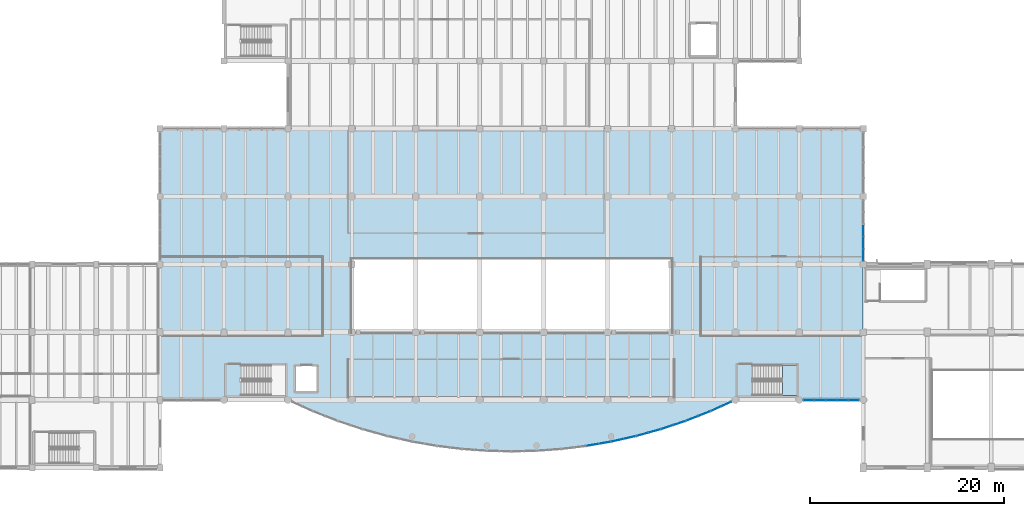
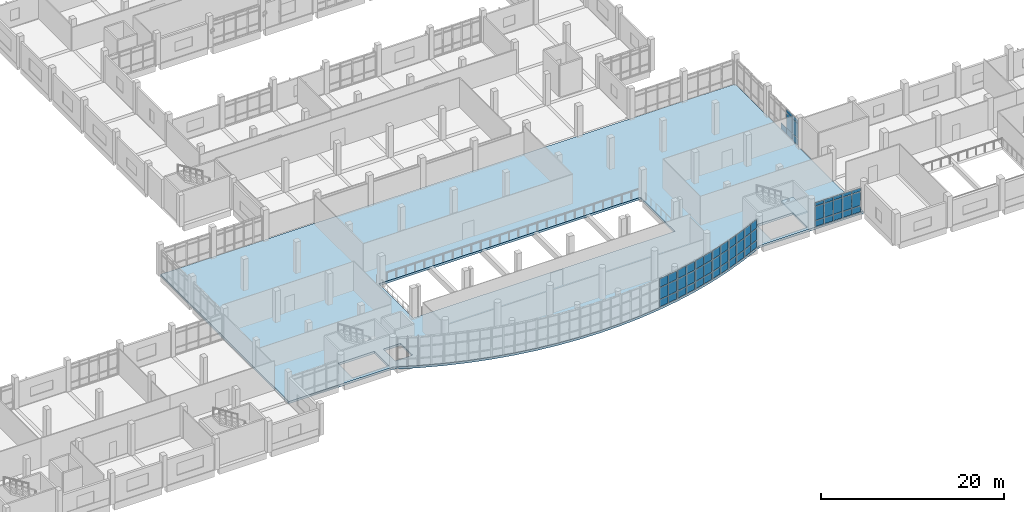
# One storey, part 36 of 68: 58 plates, 2 slabs, 9 elements without a shape of their own.
"""IFC4 building model written with IfcOpenShell, lengths in metres."""

from ifc_helpers import new_model, si_unit, direction, frame, origin, origin_2d, place, context, subcontext, project, spatial, polyline, rectangle, outline, extrude, material, layer, layer_set, type_object, element, aggregate, save


model = new_model("IFC4")

# Units and contexts
model_context = context("Model", 3, precision=1e-05, world=origin(), true_north=direction((0.0, 1.0)))
body_context = subcontext(model_context, "Body", "Model", "MODEL_VIEW")
ifc_project = project(units=[si_unit("LENGTHUNIT", "METRE"), si_unit("AREAUNIT", "SQUARE_METRE"), si_unit("VOLUMEUNIT", "CUBIC_METRE"), si_unit("PLANEANGLEUNIT", "RADIAN"), si_unit("MASSUNIT", "GRAM", prefix="KILO")], contexts=[model_context])

# Site, building, storey
site_placement = place(None, origin())
site = spatial("IfcSite", under=ifc_project, at=site_placement, CompositionType="ELEMENT")
building_placement = place(site_placement, origin())
building = spatial("IfcBuilding", under=site, at=building_placement, Name="Ciguamira Faculty of Natural Sciences", CompositionType="ELEMENT")
storey_placement = place(building_placement, frame((0.0, 0.0, 4.199951171875)))
storey = spatial("IfcBuildingStorey", under=building, at=storey_placement, Name="L01", CompositionType="ELEMENT", Elevation=4.199951171875)

# Curtain wall, plates
ifc_material_1 = material(Name="Anodized aluminium curtain wall", Category="aluminium")
curtain_wall_type_1 = type_object("IfcCurtainWallType", Name="CurtainWall_CW-03", PredefinedType="USERDEFINED", material=ifc_material_1)
curtain_wall_1_placement = place(storey_placement, origin())
curtain_wall_1 = element("IfcCurtainWall", 1, at=curtain_wall_1_placement, inside=storey, type_object=curtain_wall_type_1, Name="L01 unitised curtain wall 0027", ObjectType="UNITISED CURTAIN WALL", PredefinedType="USERDEFINED")
ifc_material_2 = material(Name="Low-E laminated solar glass", Category="glass")
ifc_layer_1 = layer(ifc_material_2, 0.028076171875, Name="Low-E laminated solar glass")
ifc_layer_set_1 = layer_set([ifc_layer_1], Name="Low-E laminated solar glass")
plate_type_1 = type_object("IfcPlateType", Name="CWPanel_CWP-01", PredefinedType="CURTAIN_PANEL", material=ifc_layer_set_1)
plate_1_placement = place(storey_placement, frame((117.679931640625, 10.0, 0.080078125), z_axis=(0.0, 0.0, 1.0), x_axis=(1.0, 0.0, 0.0)))
plate_1 = element("IfcPlate", 2, at=plate_1_placement, type_object=plate_type_1, Name="CW-03 panel 1.1", PredefinedType="CURTAIN_PANEL", context=body_context, shape_type="SweptSolid", body=[
    extrude(rectangle(XDim=1.050048828125, YDim=0.028076171875, at=origin_2d()), origin(), (0.0, 0.0, 1.0), 0.780029296875),
])
plate_2_placement = place(storey_placement, frame((117.679931640625, 10.0, 0.940185546875), z_axis=(0.0, 0.0, 1.0), x_axis=(1.0, 0.0, 0.0)))
plate_2 = element("IfcPlate", 3, at=plate_2_placement, type_object=plate_type_1, Name="CW-03 panel 1.2", PredefinedType="CURTAIN_PANEL", context=body_context, shape_type="SweptSolid", body=[
    extrude(rectangle(XDim=1.050048828125, YDim=0.028076171875, at=origin_2d()), origin(), (0.0, 0.0, 1.0), 1.81494140625),
])
plate_3_placement = place(storey_placement, frame((117.679931640625, 10.0, 2.8349609375), z_axis=(0.0, 0.0, 1.0), x_axis=(1.0, 0.0, 0.0)))
plate_3 = element("IfcPlate", 4, at=plate_3_placement, type_object=plate_type_1, Name="CW-03 panel 1.3", PredefinedType="CURTAIN_PANEL", context=body_context, shape_type="SweptSolid", body=[
    extrude(rectangle(XDim=1.050048828125, YDim=0.028076171875, at=origin_2d()), origin(), (0.0, 0.0, 1.0), 0.429931640625),
])
plate_4_placement = place(storey_placement, frame((118.830078125, 10.0, 0.080078125), z_axis=(0.0, 0.0, 1.0), x_axis=(1.0, 0.0, 0.0)))
plate_4 = element("IfcPlate", 5, at=plate_4_placement, type_object=plate_type_1, Name="CW-03 panel 2.1", PredefinedType="CURTAIN_PANEL", context=body_context, shape_type="SweptSolid", body=[
    extrude(rectangle(XDim=1.090087890625, YDim=0.028076171875, at=origin_2d()), origin(), (0.0, 0.0, 1.0), 0.780029296875),
])
plate_5_placement = place(storey_placement, frame((118.830078125, 10.0, 0.940185546875), z_axis=(0.0, 0.0, 1.0), x_axis=(1.0, 0.0, 0.0)))
plate_5 = element("IfcPlate", 6, at=plate_5_placement, type_object=plate_type_1, Name="CW-03 panel 2.2", PredefinedType="CURTAIN_PANEL", context=body_context, shape_type="SweptSolid", body=[
    extrude(rectangle(XDim=1.090087890625, YDim=0.028076171875, at=origin_2d()), origin(), (0.0, 0.0, 1.0), 1.81494140625),
])
plate_6_placement = place(storey_placement, frame((118.830078125, 10.0, 2.8349609375), z_axis=(0.0, 0.0, 1.0), x_axis=(1.0, 0.0, 0.0)))
plate_6 = element("IfcPlate", 7, at=plate_6_placement, type_object=plate_type_1, Name="CW-03 panel 2.3", PredefinedType="CURTAIN_PANEL", context=body_context, shape_type="SweptSolid", body=[
    extrude(rectangle(XDim=1.090087890625, YDim=0.028076171875, at=origin_2d()), origin(), (0.0, 0.0, 1.0), 0.429931640625),
])
plate_7_placement = place(storey_placement, frame((120.0, 10.0, 0.080078125), z_axis=(0.0, 0.0, 1.0), x_axis=(1.0, 0.0, 0.0)))
plate_7 = element("IfcPlate", 8, at=plate_7_placement, type_object=plate_type_1, Name="CW-03 panel 3.1", PredefinedType="CURTAIN_PANEL", context=body_context, shape_type="SweptSolid", body=[
    extrude(rectangle(XDim=1.090087890625, YDim=0.028076171875, at=origin_2d()), origin(), (0.0, 0.0, 1.0), 0.780029296875),
])
plate_8_placement = place(storey_placement, frame((120.0, 10.0, 0.940185546875), z_axis=(0.0, 0.0, 1.0), x_axis=(1.0, 0.0, 0.0)))
plate_8 = element("IfcPlate", 9, at=plate_8_placement, type_object=plate_type_1, Name="CW-03 panel 3.2", PredefinedType="CURTAIN_PANEL", context=body_context, shape_type="SweptSolid", body=[
    extrude(rectangle(XDim=1.090087890625, YDim=0.028076171875, at=origin_2d()), origin(), (0.0, 0.0, 1.0), 1.81494140625),
])
plate_9_placement = place(storey_placement, frame((120.0, 10.0, 2.8349609375), z_axis=(0.0, 0.0, 1.0), x_axis=(1.0, 0.0, 0.0)))
plate_9 = element("IfcPlate", 10, at=plate_9_placement, type_object=plate_type_1, Name="CW-03 panel 3.3", PredefinedType="CURTAIN_PANEL", context=body_context, shape_type="SweptSolid", body=[
    extrude(rectangle(XDim=1.090087890625, YDim=0.028076171875, at=origin_2d()), origin(), (0.0, 0.0, 1.0), 0.429931640625),
])
plate_10_placement = place(storey_placement, frame((121.169921875, 10.0, 0.080078125), z_axis=(0.0, 0.0, 1.0), x_axis=(1.0, 0.0, 0.0)))
plate_10 = element("IfcPlate", 11, at=plate_10_placement, type_object=plate_type_1, Name="CW-03 panel 4.1", PredefinedType="CURTAIN_PANEL", context=body_context, shape_type="SweptSolid", body=[
    extrude(rectangle(XDim=1.090087890625, YDim=0.028076171875, at=origin_2d()), origin(), (0.0, 0.0, 1.0), 0.780029296875),
])
plate_11_placement = place(storey_placement, frame((121.169921875, 10.0, 0.940185546875), z_axis=(0.0, 0.0, 1.0), x_axis=(1.0, 0.0, 0.0)))
plate_11 = element("IfcPlate", 12, at=plate_11_placement, type_object=plate_type_1, Name="CW-03 panel 4.2", PredefinedType="CURTAIN_PANEL", context=body_context, shape_type="SweptSolid", body=[
    extrude(rectangle(XDim=1.090087890625, YDim=0.028076171875, at=origin_2d()), origin(), (0.0, 0.0, 1.0), 1.81494140625),
])
plate_12_placement = place(storey_placement, frame((121.169921875, 10.0, 2.8349609375), z_axis=(0.0, 0.0, 1.0), x_axis=(1.0, 0.0, 0.0)))
plate_12 = element("IfcPlate", 13, at=plate_12_placement, type_object=plate_type_1, Name="CW-03 panel 4.3", PredefinedType="CURTAIN_PANEL", context=body_context, shape_type="SweptSolid", body=[
    extrude(rectangle(XDim=1.090087890625, YDim=0.028076171875, at=origin_2d()), origin(), (0.0, 0.0, 1.0), 0.429931640625),
])
plate_13_placement = place(storey_placement, frame((122.320068359375, 10.0, 0.080078125), z_axis=(0.0, 0.0, 1.0), x_axis=(1.0, 0.0, 0.0)))
plate_13 = element("IfcPlate", 14, at=plate_13_placement, type_object=plate_type_1, Name="CW-03 panel 5.1", PredefinedType="CURTAIN_PANEL", context=body_context, shape_type="SweptSolid", body=[
    extrude(rectangle(XDim=1.050048828125, YDim=0.028076171875, at=origin_2d()), origin(), (0.0, 0.0, 1.0), 0.780029296875),
])
plate_14_placement = place(storey_placement, frame((122.320068359375, 10.0, 0.940185546875), z_axis=(0.0, 0.0, 1.0), x_axis=(1.0, 0.0, 0.0)))
plate_14 = element("IfcPlate", 15, at=plate_14_placement, type_object=plate_type_1, Name="CW-03 panel 5.2", PredefinedType="CURTAIN_PANEL", context=body_context, shape_type="SweptSolid", body=[
    extrude(rectangle(XDim=1.050048828125, YDim=0.028076171875, at=origin_2d()), origin(), (0.0, 0.0, 1.0), 1.81494140625),
])
plate_15_placement = place(storey_placement, frame((122.320068359375, 10.0, 2.8349609375), z_axis=(0.0, 0.0, 1.0), x_axis=(1.0, 0.0, 0.0)))
plate_15 = element("IfcPlate", 16, at=plate_15_placement, type_object=plate_type_1, Name="CW-03 panel 5.3", PredefinedType="CURTAIN_PANEL", context=body_context, shape_type="SweptSolid", body=[
    extrude(rectangle(XDim=1.050048828125, YDim=0.028076171875, at=origin_2d()), origin(), (0.0, 0.0, 1.0), 0.429931640625),
])
aggregate(curtain_wall_1, [plate_1, plate_2, plate_3, plate_4, plate_5, plate_6, plate_7, plate_8, plate_9, plate_10, plate_11, plate_12, plate_13, plate_14, plate_15])

curtain_wall_type_2 = type_object("IfcCurtainWallType", Name="CurtainWall_CW-12", PredefinedType="USERDEFINED", material=ifc_material_1)
curtain_wall_2_placement = place(storey_placement, origin())
curtain_wall_2 = element("IfcCurtainWall", 17, at=curtain_wall_2_placement, inside=storey, type_object=curtain_wall_type_2, Name="L01 south gallery curved curtain wall 13", ObjectType="UNITISED CURTAIN WALL", PredefinedType="USERDEFINED")
plate_16_placement = place(storey_placement, frame((95.361328125, 5.357421875, 0.080078125), z_axis=(0.0, 0.0, 1.0), x_axis=(0.985410865099, 0.170192323402, 0.0)))
plate_16 = element("IfcPlate", 18, at=plate_16_placement, type_object=plate_type_1, Name="CW-12 panel 1.1", PredefinedType="CURTAIN_PANEL", context=body_context, shape_type="SweptSolid", body=[
    extrude(rectangle(XDim=1.182373046875, YDim=0.028076171875, at=origin_2d()), origin(), (0.0, 0.0, 1.0), 0.929931640625),
])
plate_17_placement = place(storey_placement, frame((95.361328125, 5.357421875, 1.090087890625), z_axis=(0.0, 0.0, 1.0), x_axis=(0.985410865099, 0.170192323402, 0.0)))
plate_17 = element("IfcPlate", 19, at=plate_17_placement, type_object=plate_type_1, Name="CW-12 panel 1.2", PredefinedType="CURTAIN_PANEL", context=body_context, shape_type="SweptSolid", body=[
    extrude(rectangle(XDim=1.182373046875, YDim=0.028076171875, at=origin_2d()), origin(), (0.0, 0.0, 1.0), 1.52001953125),
])
plate_18_placement = place(storey_placement, frame((95.361328125, 5.357421875, 2.690185546875), z_axis=(0.0, 0.0, 1.0), x_axis=(0.985410865099, 0.170192323402, 0.0)))
plate_18 = element("IfcPlate", 20, at=plate_18_placement, type_object=plate_type_1, Name="CW-12 panel 1.3", PredefinedType="CURTAIN_PANEL", context=body_context, shape_type="SweptSolid", body=[
    extrude(rectangle(XDim=1.182373046875, YDim=0.028076171875, at=origin_2d()), origin(), (0.0, 0.0, 1.0), 1.1298828125),
])
plate_19_placement = place(storey_placement, frame((96.605224609375, 5.572265625, 0.080078125), z_axis=(0.0, 0.0, 1.0), x_axis=(0.985410865099, 0.170192323402, 0.0)))
plate_19 = element("IfcPlate", 21, at=plate_19_placement, type_object=plate_type_1, Name="CW-12 panel 2.1", PredefinedType="CURTAIN_PANEL", context=body_context, shape_type="SweptSolid", body=[
    extrude(rectangle(XDim=1.182373046875, YDim=0.028076171875, at=origin_2d()), origin(), (0.0, 0.0, 1.0), 0.929931640625),
])
plate_20_placement = place(storey_placement, frame((96.605224609375, 5.572265625, 1.090087890625), z_axis=(0.0, 0.0, 1.0), x_axis=(0.985410865099, 0.170192323402, 0.0)))
plate_20 = element("IfcPlate", 22, at=plate_20_placement, type_object=plate_type_1, Name="CW-12 panel 2.2", PredefinedType="CURTAIN_PANEL", context=body_context, shape_type="SweptSolid", body=[
    extrude(rectangle(XDim=1.182373046875, YDim=0.028076171875, at=origin_2d()), origin(), (0.0, 0.0, 1.0), 1.52001953125),
])
plate_21_placement = place(storey_placement, frame((96.605224609375, 5.572265625, 2.690185546875), z_axis=(0.0, 0.0, 1.0), x_axis=(0.985410865099, 0.170192323402, 0.0)))
plate_21 = element("IfcPlate", 23, at=plate_21_placement, type_object=plate_type_1, Name="CW-12 panel 2.3", PredefinedType="CURTAIN_PANEL", context=body_context, shape_type="SweptSolid", body=[
    extrude(rectangle(XDim=1.182373046875, YDim=0.028076171875, at=origin_2d()), origin(), (0.0, 0.0, 1.0), 1.1298828125),
])
aggregate(curtain_wall_2, [plate_16, plate_17, plate_18, plate_19, plate_20, plate_21])

curtain_wall_type_3 = type_object("IfcCurtainWallType", Name="CurtainWall_CW-01", PredefinedType="USERDEFINED", material=ifc_material_1)
curtain_wall_3_placement = place(storey_placement, origin())
curtain_wall_3 = element("IfcCurtainWall", 24, at=curtain_wall_3_placement, inside=storey, type_object=curtain_wall_type_3, Name="L01 south gallery curved curtain wall 14", ObjectType="UNITISED CURTAIN WALL", PredefinedType="USERDEFINED")
plate_22_placement = place(storey_placement, frame((97.927978515625, 5.834716796875, 0.080078125), z_axis=(0.0, 0.0, 1.0), x_axis=(0.975762990759, 0.218830038763, 0.0)))
plate_22 = element("IfcPlate", 25, at=plate_22_placement, type_object=plate_type_1, Name="CW-01 panel 1.1", PredefinedType="CURTAIN_PANEL", context=body_context, shape_type="SweptSolid", body=[
    extrude(rectangle(XDim=1.195068359375, YDim=0.028076171875, at=origin_2d()), origin(), (0.0, 0.0, 1.0), 0.929931640625),
])
plate_23_placement = place(storey_placement, frame((97.927978515625, 5.834716796875, 1.090087890625), z_axis=(0.0, 0.0, 1.0), x_axis=(0.975762990759, 0.218830038763, 0.0)))
plate_23 = element("IfcPlate", 26, at=plate_23_placement, type_object=plate_type_1, Name="CW-01 panel 1.2", PredefinedType="CURTAIN_PANEL", context=body_context, shape_type="SweptSolid", body=[
    extrude(rectangle(XDim=1.195068359375, YDim=0.028076171875, at=origin_2d()), origin(), (0.0, 0.0, 1.0), 1.52001953125),
])
plate_24_placement = place(storey_placement, frame((97.927978515625, 5.834716796875, 2.690185546875), z_axis=(0.0, 0.0, 1.0), x_axis=(0.975762990759, 0.218830038763, 0.0)))
plate_24 = element("IfcPlate", 27, at=plate_24_placement, type_object=plate_type_1, Name="CW-01 panel 1.3", PredefinedType="CURTAIN_PANEL", context=body_context, shape_type="SweptSolid", body=[
    extrude(rectangle(XDim=1.195068359375, YDim=0.028076171875, at=origin_2d()), origin(), (0.0, 0.0, 1.0), 1.1298828125),
])
plate_25_placement = place(storey_placement, frame((99.172119140625, 6.11376953125, 0.080078125), z_axis=(0.0, 0.0, 1.0), x_axis=(0.975762990759, 0.218830038763, 0.0)))
plate_25 = element("IfcPlate", 28, at=plate_25_placement, type_object=plate_type_1, Name="CW-01 panel 2.1", PredefinedType="CURTAIN_PANEL", context=body_context, shape_type="SweptSolid", body=[
    extrude(rectangle(XDim=1.195068359375, YDim=0.028076171875, at=origin_2d()), origin(), (0.0, 0.0, 1.0), 0.929931640625),
])
plate_26_placement = place(storey_placement, frame((99.172119140625, 6.11376953125, 1.090087890625), z_axis=(0.0, 0.0, 1.0), x_axis=(0.975762990759, 0.218830038763, 0.0)))
plate_26 = element("IfcPlate", 29, at=plate_26_placement, type_object=plate_type_1, Name="CW-01 panel 2.2", PredefinedType="CURTAIN_PANEL", context=body_context, shape_type="SweptSolid", body=[
    extrude(rectangle(XDim=1.195068359375, YDim=0.028076171875, at=origin_2d()), origin(), (0.0, 0.0, 1.0), 1.52001953125),
])
plate_27_placement = place(storey_placement, frame((99.172119140625, 6.11376953125, 2.690185546875), z_axis=(0.0, 0.0, 1.0), x_axis=(0.975762990759, 0.218830038763, 0.0)))
plate_27 = element("IfcPlate", 30, at=plate_27_placement, type_object=plate_type_1, Name="CW-01 panel 2.3", PredefinedType="CURTAIN_PANEL", context=body_context, shape_type="SweptSolid", body=[
    extrude(rectangle(XDim=1.195068359375, YDim=0.028076171875, at=origin_2d()), origin(), (0.0, 0.0, 1.0), 1.1298828125),
])
aggregate(curtain_wall_3, [plate_22, plate_23, plate_24, plate_25, plate_26, plate_27])

curtain_wall_type_4 = type_object("IfcCurtainWallType", Name="CurtainWall_CW-02", PredefinedType="USERDEFINED", material=ifc_material_1)
curtain_wall_4_placement = place(storey_placement, origin())
curtain_wall_4 = element("IfcCurtainWall", 31, at=curtain_wall_4_placement, inside=storey, type_object=curtain_wall_type_4, Name="L01 south gallery curved curtain wall 15", ObjectType="UNITISED CURTAIN WALL", PredefinedType="USERDEFINED")
plate_28_placement = place(storey_placement, frame((100.494140625, 6.445556640625, 0.080078125), z_axis=(0.0, 0.0, 1.0), x_axis=(0.963573286652, 0.267444426472, 0.0)))
plate_28 = element("IfcPlate", 32, at=plate_28_placement, type_object=plate_type_1, Name="CW-02 panel 1.1", PredefinedType="CURTAIN_PANEL", context=body_context, shape_type="SweptSolid", body=[
    extrude(rectangle(XDim=1.2119140625, YDim=0.028076171875, at=origin_2d()), origin(), (0.0, 0.0, 1.0), 0.929931640625),
])
plate_29_placement = place(storey_placement, frame((100.494140625, 6.445556640625, 1.090087890625), z_axis=(0.0, 0.0, 1.0), x_axis=(0.963573286652, 0.267444426472, 0.0)))
plate_29 = element("IfcPlate", 33, at=plate_29_placement, type_object=plate_type_1, Name="CW-02 panel 1.2", PredefinedType="CURTAIN_PANEL", context=body_context, shape_type="SweptSolid", body=[
    extrude(rectangle(XDim=1.2119140625, YDim=0.028076171875, at=origin_2d()), origin(), (0.0, 0.0, 1.0), 1.52001953125),
])
plate_30_placement = place(storey_placement, frame((100.494140625, 6.445556640625, 2.690185546875), z_axis=(0.0, 0.0, 1.0), x_axis=(0.963573286652, 0.267444426472, 0.0)))
plate_30 = element("IfcPlate", 34, at=plate_30_placement, type_object=plate_type_1, Name="CW-02 panel 1.3", PredefinedType="CURTAIN_PANEL", context=body_context, shape_type="SweptSolid", body=[
    extrude(rectangle(XDim=1.2119140625, YDim=0.028076171875, at=origin_2d()), origin(), (0.0, 0.0, 1.0), 1.1298828125),
])
plate_31_placement = place(storey_placement, frame((101.739013671875, 6.791015625, 0.080078125), z_axis=(0.0, 0.0, 1.0), x_axis=(0.963573286652, 0.267444426472, 0.0)))
plate_31 = element("IfcPlate", 35, at=plate_31_placement, type_object=plate_type_1, Name="CW-02 panel 2.1", PredefinedType="CURTAIN_PANEL", context=body_context, shape_type="SweptSolid", body=[
    extrude(rectangle(XDim=1.2119140625, YDim=0.028076171875, at=origin_2d()), origin(), (0.0, 0.0, 1.0), 0.929931640625),
])
plate_32_placement = place(storey_placement, frame((101.739013671875, 6.791015625, 1.090087890625), z_axis=(0.0, 0.0, 1.0), x_axis=(0.963573286652, 0.267444426472, 0.0)))
plate_32 = element("IfcPlate", 36, at=plate_32_placement, type_object=plate_type_1, Name="CW-02 panel 2.2", PredefinedType="CURTAIN_PANEL", context=body_context, shape_type="SweptSolid", body=[
    extrude(rectangle(XDim=1.2119140625, YDim=0.028076171875, at=origin_2d()), origin(), (0.0, 0.0, 1.0), 1.52001953125),
])
plate_33_placement = place(storey_placement, frame((101.739013671875, 6.791015625, 2.690185546875), z_axis=(0.0, 0.0, 1.0), x_axis=(0.963573286652, 0.267444426472, 0.0)))
plate_33 = element("IfcPlate", 37, at=plate_33_placement, type_object=plate_type_1, Name="CW-02 panel 2.3", PredefinedType="CURTAIN_PANEL", context=body_context, shape_type="SweptSolid", body=[
    extrude(rectangle(XDim=1.2119140625, YDim=0.028076171875, at=origin_2d()), origin(), (0.0, 0.0, 1.0), 1.1298828125),
])
aggregate(curtain_wall_4, [plate_28, plate_29, plate_30, plate_31, plate_32, plate_33])

curtain_wall_5_placement = place(storey_placement, origin())
curtain_wall_5 = element("IfcCurtainWall", 38, at=curtain_wall_5_placement, inside=storey, type_object=curtain_wall_type_1, Name="L01 south gallery curved curtain wall 16", ObjectType="UNITISED CURTAIN WALL", PredefinedType="USERDEFINED")
plate_34_placement = place(storey_placement, frame((103.060546875, 7.194580078125, 0.080078125), z_axis=(0.0, 0.0, 1.0), x_axis=(0.948735033862, 0.316072516242, 0.0)))
plate_34 = element("IfcPlate", 39, at=plate_34_placement, type_object=plate_type_1, Name="CW-03 panel 1.1", PredefinedType="CURTAIN_PANEL", context=body_context, shape_type="SweptSolid", body=[
    extrude(rectangle(XDim=1.232666015625, YDim=0.028076171875, at=origin_2d()), origin(), (0.0, 0.0, 1.0), 0.929931640625),
])
plate_35_placement = place(storey_placement, frame((103.060546875, 7.194580078125, 1.090087890625), z_axis=(0.0, 0.0, 1.0), x_axis=(0.948735033862, 0.316072516242, 0.0)))
plate_35 = element("IfcPlate", 40, at=plate_35_placement, type_object=plate_type_1, Name="CW-03 panel 1.2", PredefinedType="CURTAIN_PANEL", context=body_context, shape_type="SweptSolid", body=[
    extrude(rectangle(XDim=1.232666015625, YDim=0.028076171875, at=origin_2d()), origin(), (0.0, 0.0, 1.0), 1.52001953125),
])
plate_36_placement = place(storey_placement, frame((103.060546875, 7.194580078125, 2.690185546875), z_axis=(0.0, 0.0, 1.0), x_axis=(0.948735033862, 0.316072516242, 0.0)))
plate_36 = element("IfcPlate", 41, at=plate_36_placement, type_object=plate_type_1, Name="CW-03 panel 1.3", PredefinedType="CURTAIN_PANEL", context=body_context, shape_type="SweptSolid", body=[
    extrude(rectangle(XDim=1.232666015625, YDim=0.028076171875, at=origin_2d()), origin(), (0.0, 0.0, 1.0), 1.1298828125),
])
plate_37_placement = place(storey_placement, frame((104.30615234375, 7.609619140625, 0.080078125), z_axis=(0.0, 0.0, 1.0), x_axis=(0.948735033862, 0.316072516242, 0.0)))
plate_37 = element("IfcPlate", 42, at=plate_37_placement, type_object=plate_type_1, Name="CW-03 panel 2.1", PredefinedType="CURTAIN_PANEL", context=body_context, shape_type="SweptSolid", body=[
    extrude(rectangle(XDim=1.232666015625, YDim=0.028076171875, at=origin_2d()), origin(), (0.0, 0.0, 1.0), 0.929931640625),
])
plate_38_placement = place(storey_placement, frame((104.30615234375, 7.609619140625, 1.090087890625), z_axis=(0.0, 0.0, 1.0), x_axis=(0.948735033862, 0.316072516242, 0.0)))
plate_38 = element("IfcPlate", 43, at=plate_38_placement, type_object=plate_type_1, Name="CW-03 panel 2.2", PredefinedType="CURTAIN_PANEL", context=body_context, shape_type="SweptSolid", body=[
    extrude(rectangle(XDim=1.232666015625, YDim=0.028076171875, at=origin_2d()), origin(), (0.0, 0.0, 1.0), 1.52001953125),
])
plate_39_placement = place(storey_placement, frame((104.30615234375, 7.609619140625, 2.690185546875), z_axis=(0.0, 0.0, 1.0), x_axis=(0.948735033862, 0.316072516242, 0.0)))
plate_39 = element("IfcPlate", 44, at=plate_39_placement, type_object=plate_type_1, Name="CW-03 panel 2.3", PredefinedType="CURTAIN_PANEL", context=body_context, shape_type="SweptSolid", body=[
    extrude(rectangle(XDim=1.232666015625, YDim=0.028076171875, at=origin_2d()), origin(), (0.0, 0.0, 1.0), 1.1298828125),
])
aggregate(curtain_wall_5, [plate_34, plate_35, plate_36, plate_37, plate_38, plate_39])

curtain_wall_type_5 = type_object("IfcCurtainWallType", Name="CurtainWall_CW-04", PredefinedType="USERDEFINED", material=ifc_material_1)
curtain_wall_6_placement = place(storey_placement, origin())
curtain_wall_6 = element("IfcCurtainWall", 45, at=curtain_wall_6_placement, inside=storey, type_object=curtain_wall_type_5, Name="L01 south gallery curved curtain wall 17", ObjectType="UNITISED CURTAIN WALL", PredefinedType="USERDEFINED")
plate_40_placement = place(storey_placement, frame((105.626953125, 8.088134765625, 0.080078125), z_axis=(0.0, 0.0, 1.0), x_axis=(0.931122296337, 0.36470710065, 0.0)))
plate_40 = element("IfcPlate", 46, at=plate_40_placement, type_object=plate_type_1, Name="CW-04 panel 1.1", PredefinedType="CURTAIN_PANEL", context=body_context, shape_type="SweptSolid", body=[
    extrude(rectangle(XDim=1.25830078125, YDim=0.028076171875, at=origin_2d()), origin(), (0.0, 0.0, 1.0), 0.929931640625),
])
plate_41_placement = place(storey_placement, frame((105.626953125, 8.088134765625, 1.090087890625), z_axis=(0.0, 0.0, 1.0), x_axis=(0.931122296337, 0.36470710065, 0.0)))
plate_41 = element("IfcPlate", 47, at=plate_41_placement, type_object=plate_type_1, Name="CW-04 panel 1.2", PredefinedType="CURTAIN_PANEL", context=body_context, shape_type="SweptSolid", body=[
    extrude(rectangle(XDim=1.25830078125, YDim=0.028076171875, at=origin_2d()), origin(), (0.0, 0.0, 1.0), 1.52001953125),
])
plate_42_placement = place(storey_placement, frame((105.626953125, 8.088134765625, 2.690185546875), z_axis=(0.0, 0.0, 1.0), x_axis=(0.931122296337, 0.36470710065, 0.0)))
plate_42 = element("IfcPlate", 48, at=plate_42_placement, type_object=plate_type_1, Name="CW-04 panel 1.3", PredefinedType="CURTAIN_PANEL", context=body_context, shape_type="SweptSolid", body=[
    extrude(rectangle(XDim=1.25830078125, YDim=0.028076171875, at=origin_2d()), origin(), (0.0, 0.0, 1.0), 1.1298828125),
])
plate_43_placement = place(storey_placement, frame((106.873046875, 8.576171875, 0.080078125), z_axis=(0.0, 0.0, 1.0), x_axis=(0.931122296337, 0.36470710065, 0.0)))
plate_43 = element("IfcPlate", 49, at=plate_43_placement, type_object=plate_type_1, Name="CW-04 panel 2.1", PredefinedType="CURTAIN_PANEL", context=body_context, shape_type="SweptSolid", body=[
    extrude(rectangle(XDim=1.25830078125, YDim=0.028076171875, at=origin_2d()), origin(), (0.0, 0.0, 1.0), 0.929931640625),
])
plate_44_placement = place(storey_placement, frame((106.873046875, 8.576171875, 1.090087890625), z_axis=(0.0, 0.0, 1.0), x_axis=(0.931122296337, 0.36470710065, 0.0)))
plate_44 = element("IfcPlate", 50, at=plate_44_placement, type_object=plate_type_1, Name="CW-04 panel 2.2", PredefinedType="CURTAIN_PANEL", context=body_context, shape_type="SweptSolid", body=[
    extrude(rectangle(XDim=1.25830078125, YDim=0.028076171875, at=origin_2d()), origin(), (0.0, 0.0, 1.0), 1.52001953125),
])
plate_45_placement = place(storey_placement, frame((106.873046875, 8.576171875, 2.690185546875), z_axis=(0.0, 0.0, 1.0), x_axis=(0.931122296337, 0.36470710065, 0.0)))
plate_45 = element("IfcPlate", 51, at=plate_45_placement, type_object=plate_type_1, Name="CW-04 panel 2.3", PredefinedType="CURTAIN_PANEL", context=body_context, shape_type="SweptSolid", body=[
    extrude(rectangle(XDim=1.25830078125, YDim=0.028076171875, at=origin_2d()), origin(), (0.0, 0.0, 1.0), 1.1298828125),
])
aggregate(curtain_wall_6, [plate_40, plate_41, plate_42, plate_43, plate_44, plate_45])

curtain_wall_type_6 = type_object("IfcCurtainWallType", Name="CurtainWall_CW-05", PredefinedType="USERDEFINED", material=ifc_material_1)
curtain_wall_7_placement = place(storey_placement, origin())
curtain_wall_7 = element("IfcCurtainWall", 52, at=curtain_wall_7_placement, inside=storey, type_object=curtain_wall_type_6, Name="L01 south gallery curved curtain wall 18", ObjectType="UNITISED CURTAIN WALL", PredefinedType="USERDEFINED")
plate_46_placement = place(storey_placement, frame((108.09765625, 9.091064453125, 0.080078125), z_axis=(0.0, 0.0, 1.0), x_axis=(0.910580503774, 0.41333176281, 0.0)))
plate_46 = element("IfcPlate", 53, at=plate_46_placement, type_object=plate_type_1, Name="CW-05 panel 1.1", PredefinedType="CURTAIN_PANEL", context=body_context, shape_type="SweptSolid", body=[
    extrude(rectangle(XDim=1.079345703125, YDim=0.028076171875, at=origin_2d()), origin(), (0.0, 0.0, 1.0), 0.929931640625),
])
plate_47_placement = place(storey_placement, frame((108.09765625, 9.091064453125, 1.090087890625), z_axis=(0.0, 0.0, 1.0), x_axis=(0.910580503774, 0.41333176281, 0.0)))
plate_47 = element("IfcPlate", 54, at=plate_47_placement, type_object=plate_type_1, Name="CW-05 panel 1.2", PredefinedType="CURTAIN_PANEL", context=body_context, shape_type="SweptSolid", body=[
    extrude(rectangle(XDim=1.079345703125, YDim=0.028076171875, at=origin_2d()), origin(), (0.0, 0.0, 1.0), 1.52001953125),
])
plate_48_placement = place(storey_placement, frame((108.09765625, 9.091064453125, 2.690185546875), z_axis=(0.0, 0.0, 1.0), x_axis=(0.910580503774, 0.41333176281, 0.0)))
plate_48 = element("IfcPlate", 55, at=plate_48_placement, type_object=plate_type_1, Name="CW-05 panel 1.3", PredefinedType="CURTAIN_PANEL", context=body_context, shape_type="SweptSolid", body=[
    extrude(rectangle(XDim=1.079345703125, YDim=0.028076171875, at=origin_2d()), origin(), (0.0, 0.0, 1.0), 1.1298828125),
])
plate_49_placement = place(storey_placement, frame((109.1533203125, 9.5703125, 0.080078125), z_axis=(0.0, 0.0, 1.0), x_axis=(0.910580503774, 0.41333176281, 0.0)))
plate_49 = element("IfcPlate", 56, at=plate_49_placement, type_object=plate_type_1, Name="CW-05 panel 2.1", PredefinedType="CURTAIN_PANEL", context=body_context, shape_type="SweptSolid", body=[
    extrude(rectangle(XDim=1.079345703125, YDim=0.028076171875, at=origin_2d()), origin(), (0.0, 0.0, 1.0), 0.929931640625),
])
plate_50_placement = place(storey_placement, frame((109.1533203125, 9.5703125, 1.090087890625), z_axis=(0.0, 0.0, 1.0), x_axis=(0.910580503774, 0.41333176281, 0.0)))
plate_50 = element("IfcPlate", 57, at=plate_50_placement, type_object=plate_type_1, Name="CW-05 panel 2.2", PredefinedType="CURTAIN_PANEL", context=body_context, shape_type="SweptSolid", body=[
    extrude(rectangle(XDim=1.079345703125, YDim=0.028076171875, at=origin_2d()), origin(), (0.0, 0.0, 1.0), 1.52001953125),
])
plate_51_placement = place(storey_placement, frame((109.1533203125, 9.5703125, 2.690185546875), z_axis=(0.0, 0.0, 1.0), x_axis=(0.910580503774, 0.41333176281, 0.0)))
plate_51 = element("IfcPlate", 58, at=plate_51_placement, type_object=plate_type_1, Name="CW-05 panel 2.3", PredefinedType="CURTAIN_PANEL", context=body_context, shape_type="SweptSolid", body=[
    extrude(rectangle(XDim=1.079345703125, YDim=0.028076171875, at=origin_2d()), origin(), (0.0, 0.0, 1.0), 1.1298828125),
])
aggregate(curtain_wall_7, [plate_46, plate_47, plate_48, plate_49, plate_50, plate_51])

curtain_wall_8_placement = place(storey_placement, origin())
curtain_wall_8 = element("IfcCurtainWall", 59, at=curtain_wall_8_placement, inside=storey, type_object=curtain_wall_type_5, Name="L01 unitised curtain wall 0052", ObjectType="UNITISED CURTAIN WALL", PredefinedType="USERDEFINED")
ifc_layer_2 = layer(ifc_material_2, 0.035888671875, Name="Low-E laminated solar glass")
ifc_layer_set_2 = layer_set([ifc_layer_2], Name="Low-E laminated solar glass")
plate_type_2 = type_object("IfcPlateType", Name="CWPanel_CWP-02", PredefinedType="CURTAIN_PANEL", material=ifc_layer_set_2)
plate_52_placement = place(storey_placement, frame((123.300048828125, 24.97509765625, 0.06005859375), z_axis=(0.0, 0.0, 1.0), x_axis=(0.0, 1.0, 0.0)))
plate_52 = element("IfcPlate", 60, at=plate_52_placement, type_object=plate_type_2, Name="CW-04 panel 1.1", PredefinedType="CURTAIN_PANEL", context=body_context, shape_type="SweptSolid", body=[
    extrude(rectangle(XDim=1.179931640625, YDim=0.035888671875, at=origin_2d()), origin(), (0.0, 0.0, 1.0), 0.81005859375),
])
plate_53_placement = place(storey_placement, frame((123.300048828125, 24.97509765625, 0.929931640625), z_axis=(0.0, 0.0, 1.0), x_axis=(0.0, 1.0, 0.0)))
plate_53 = element("IfcPlate", 61, at=plate_53_placement, type_object=plate_type_2, Name="CW-04 panel 1.2", PredefinedType="CURTAIN_PANEL", context=body_context, shape_type="SweptSolid", body=[
    extrude(rectangle(XDim=1.179931640625, YDim=0.035888671875, at=origin_2d()), origin(), (0.0, 0.0, 1.0), 1.955078125),
])
plate_54_placement = place(storey_placement, frame((123.300048828125, 24.97509765625, 2.945068359375), z_axis=(0.0, 0.0, 1.0), x_axis=(0.0, 1.0, 0.0)))
plate_54 = element("IfcPlate", 62, at=plate_54_placement, type_object=plate_type_2, Name="CW-04 panel 1.3", PredefinedType="CURTAIN_PANEL", context=body_context, shape_type="SweptSolid", body=[
    extrude(rectangle(XDim=1.179931640625, YDim=0.035888671875, at=origin_2d()), origin(), (0.0, 0.0, 1.0), 0.4599609375),
])
plate_55_placement = place(storey_placement, frame((123.300048828125, 26.22998046875, 0.06005859375), z_axis=(0.0, 0.0, 1.0), x_axis=(0.0, 1.0, 0.0)))
plate_55 = element("IfcPlate", 63, at=plate_55_placement, type_object=plate_type_2, Name="CW-04 panel 2.1", PredefinedType="CURTAIN_PANEL", context=body_context, shape_type="SweptSolid", body=[
    extrude(rectangle(XDim=1.2099609375, YDim=0.035888671875, at=origin_2d()), origin(), (0.0, 0.0, 1.0), 0.81005859375),
])
plate_56_placement = place(storey_placement, frame((123.300048828125, 26.22998046875, 0.929931640625), z_axis=(0.0, 0.0, 1.0), x_axis=(0.0, 1.0, 0.0)))
plate_56 = element("IfcPlate", 64, at=plate_56_placement, type_object=plate_type_2, Name="CW-04 panel 2.2", PredefinedType="CURTAIN_PANEL", context=body_context, shape_type="SweptSolid", body=[
    extrude(rectangle(XDim=1.2099609375, YDim=0.035888671875, at=origin_2d()), origin(), (0.0, 0.0, 1.0), 1.955078125),
])
plate_57_placement = place(storey_placement, frame((123.300048828125, 26.22998046875, 2.945068359375), z_axis=(0.0, 0.0, 1.0), x_axis=(0.0, 1.0, 0.0)))
plate_57 = element("IfcPlate", 65, at=plate_57_placement, type_object=plate_type_2, Name="CW-04 panel 2.3", PredefinedType="CURTAIN_PANEL", context=body_context, shape_type="SweptSolid", body=[
    extrude(rectangle(XDim=1.2099609375, YDim=0.035888671875, at=origin_2d()), origin(), (0.0, 0.0, 1.0), 0.4599609375),
])
plate_58_placement = place(storey_placement, frame((123.300048828125, 27.5, 0.06005859375), z_axis=(0.0, 0.0, 1.0), x_axis=(0.0, 1.0, 0.0)))
plate_58 = element("IfcPlate", 66, at=plate_58_placement, type_object=plate_type_2, Name="CW-04 panel 3.1", PredefinedType="CURTAIN_PANEL", context=body_context, shape_type="SweptSolid", body=[
    extrude(rectangle(XDim=1.2099609375, YDim=0.035888671875, at=origin_2d()), origin(), (0.0, 0.0, 1.0), 0.81005859375),
])
aggregate(curtain_wall_8, [plate_52, plate_53, plate_54, plate_55, plate_56, plate_57, plate_58])

# Slab
ifc_material_3 = material(Name="Concrete C40/50", Category="concrete")
ifc_layer_3 = layer(ifc_material_3, 0.300048828125, Name="Concrete C40/50")
ifc_layer_set_3 = layer_set([ifc_layer_3], Name="Concrete C40/50")
slab_type_1 = type_object("IfcSlabType", Name="Slab_SF-02_300", PredefinedType="FLOOR", material=ifc_layer_set_3)
slab_1_placement = place(storey_placement, frame((0.0, 0.0, -0.300048828125)))
element("IfcSlab", 67, at=slab_1_placement, inside=storey, type_object=slab_type_1, Name="L01 V3 structural slab", PredefinedType="FLOOR", context=body_context, shape_type="SweptSolid", body=[
    extrude(outline(polyline([(50.75, 10.0), (63.89990234375, 10.0), (66.466796875, 8.8349609375), (69.033203125, 7.82958984375), (71.60009765625, 6.974609375), (74.166748046875, 6.26220703125), (76.7333984375, 5.6865234375), (79.300048828125, 5.2431640625), (81.86669921875, 4.928955078125), (84.433349609375, 4.7412109375), (87.0, 4.6787109375), (89.566650390625, 4.7412109375), (92.13330078125, 4.928955078125), (94.699951171875, 5.2431640625), (97.2666015625, 5.6865234375), (99.833251953125, 6.26220703125), (102.39990234375, 6.974609375), (104.966796875, 7.82958984375), (107.533203125, 8.8349609375), (110.10009765625, 10.0), (123.25, 10.0), (123.25, 38.0), (50.75, 38.0), (50.75, 10.0)]), holes=[polyline([(59.06005859375, 10.449951171875), (63.64990234375, 10.449951171875), (63.64990234375, 13.610107421875), (59.06005859375, 13.610107421875), (59.06005859375, 10.449951171875)]), polyline([(111.860107421875, 10.449951171875), (116.449951171875, 10.449951171875), (116.449951171875, 13.610107421875), (111.860107421875, 13.610107421875), (111.860107421875, 10.449951171875)]), polyline([(64.699951171875, 10.89990234375), (66.89990234375, 10.89990234375), (66.89990234375, 13.5), (64.699951171875, 13.5), (64.699951171875, 10.89990234375)]), polyline([(70.5, 17.0), (103.5, 17.0), (103.5, 24.5), (70.5, 24.5), (70.5, 17.0)])]), origin(), (0.0, 0.0, 1.0), 0.300048828125),
])

# Stair, slab
stair_type = type_object("IfcStairType", Name="Stair_STR-02", PredefinedType="HALF_TURN_STAIR", material=ifc_material_3)
stair_placement = place(storey_placement, origin())
stair = element("IfcStair", 68, at=stair_placement, inside=storey, type_object=stair_type, Name="L01 Atrium East Exit Stair", PredefinedType="HALF_TURN_STAIR")
ifc_layer_4 = layer(ifc_material_3, 0.199951171875, Name="Concrete C40/50")
ifc_layer_set_4 = layer_set([ifc_layer_4], Name="Concrete C40/50")
slab_type_2 = type_object("IfcSlabType", Name="StairLanding_SLD01", PredefinedType="LANDING", material=ifc_layer_set_4)
slab_2_placement = place(storey_placement, frame((0.0, 0.0, 1.900146484375)))
slab_2 = element("IfcSlab", 69, at=slab_2_placement, type_object=slab_type_2, Name="ST-A2 landing 1", PredefinedType="LANDING", context=body_context, shape_type="SweptSolid", body=[
    extrude(outline(polyline([(114.93994140625, 10.449951171875), (116.449951171875, 10.449951171875), (116.449951171875, 13.610107421875), (114.93994140625, 13.610107421875), (114.93994140625, 10.449951171875)])), origin(), (0.0, 0.0, 1.0), 0.199951171875),
])
aggregate(stair, [slab_2])

save(model, "model.ifc")
